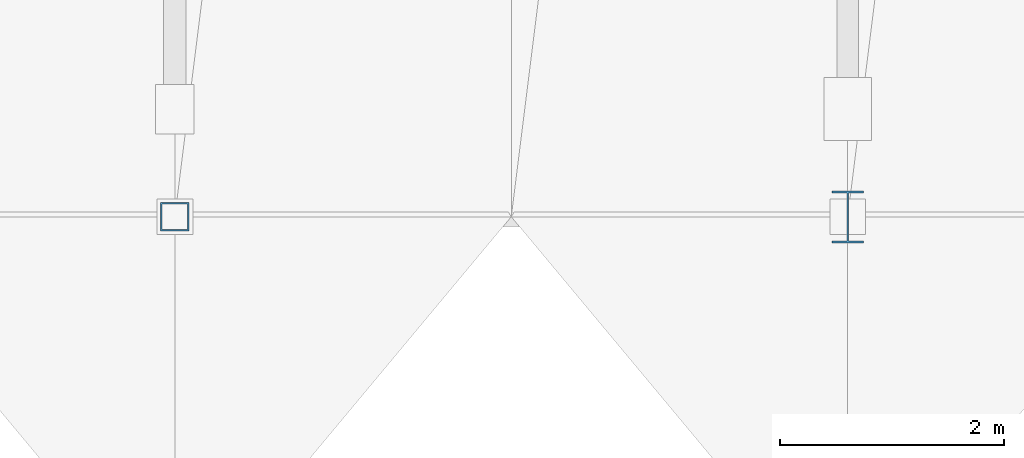
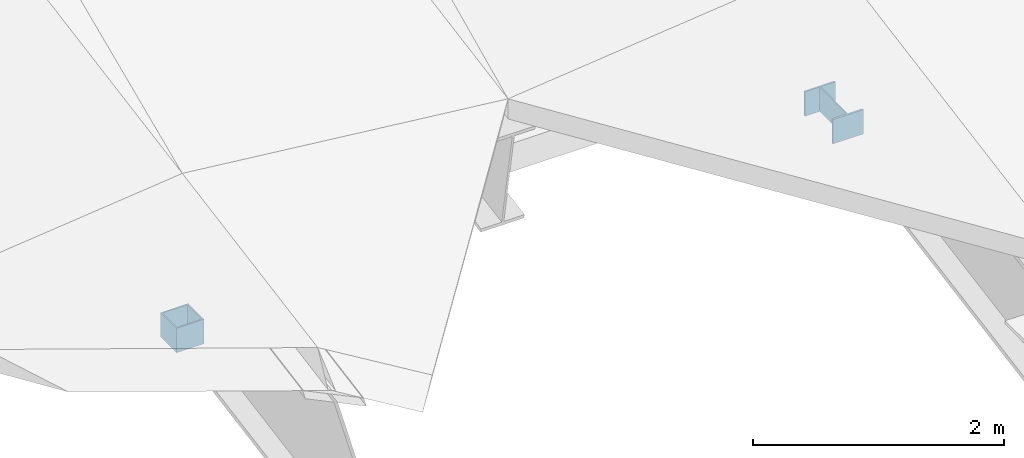
# One storey, part 12 of 52: 2 members.
"""IFC4 building model written with IfcOpenShell, lengths in metres."""

from ifc_helpers import new_model, si_unit, direction, frame, origin, origin_2d, place, context, subcontext, project, spatial, hollow_rectangle, i_section, extrude, material, material_profile, profile_set, type_object, element, save


model = new_model("IFC4")

# Units and contexts
model_context = context("Model", 3, precision=1e-05, world=origin(), true_north=direction((0.0, 1.0)))
body_context = subcontext(model_context, "Body", "Model", "MODEL_VIEW")
ifc_project = project(units=[si_unit("LENGTHUNIT", "METRE"), si_unit("AREAUNIT", "SQUARE_METRE"), si_unit("VOLUMEUNIT", "CUBIC_METRE"), si_unit("PLANEANGLEUNIT", "RADIAN"), si_unit("MASSUNIT", "GRAM", prefix="KILO")], contexts=[model_context])

# Site, building, storey
site_placement = place(None, origin())
site = spatial("IfcSite", under=ifc_project, at=site_placement, CompositionType="ELEMENT")
building_placement = place(site_placement, origin())
building = spatial("IfcBuilding", under=site, at=building_placement, Name="Vaelkrest Opera House", CompositionType="ELEMENT")
storey_placement = place(building_placement, frame((0.0, 0.0, 41.39990234375)))
storey = spatial("IfcBuildingStorey", under=building, at=storey_placement, Name="ROOF", CompositionType="ELEMENT", Elevation=41.39990234375)

# Members
ifc_material_1 = material(Name="Steel A992 Gr50", Category="steel")
ifc_material_profile_1 = material_profile(ifc_material_1, i_section(OverallWidth=0.280029296875, OverallDepth=0.462890625, WebThickness=0.0107421875, FlangeThickness=0.017333984375, at=origin_2d()), Name="W18X76")
ifc_profile_set_1 = profile_set([ifc_material_profile_1], Name="Steel A992 Gr50")
member_type_1 = type_object("IfcMemberType", Name="TC01", PredefinedType="CHORD", material=ifc_profile_set_1)
member_1_placement = place(storey_placement, frame((27.0, -55.800048828125, -17.501953125), z_axis=(0.0, 0.0, 1.0), x_axis=(1.0, 0.0, 0.0)))
element("IfcMember", 1, at=member_1_placement, inside=storey, type_object=member_type_1, Name="Ridge saddle post V1-S-19", PredefinedType="CHORD", context=body_context, shape_type="SweptSolid", body=[
    extrude(i_section(OverallWidth=0.280029296875, OverallDepth=0.462890625, WebThickness=0.0107421875, FlangeThickness=0.017333984375, at=origin_2d()), origin(), (0.0, 0.0, 1.0), 0.238037109375),
])
ifc_material_2 = material(Name="Steel A500 GrC", Category="steel")
ifc_material_profile_2 = material_profile(ifc_material_2, hollow_rectangle(XDim=0.25390625, YDim=0.25390625, WallThickness=0.0126953125, at=origin_2d()), Name="HSS254X254X12.7")
ifc_profile_set_2 = profile_set([ifc_material_profile_2], Name="Steel A500 GrC")
member_type_2 = type_object("IfcMemberType", Name="TC04", PredefinedType="CHORD", material=ifc_profile_set_2)
member_2_placement = place(storey_placement, frame((21.0, -55.800048828125, -17.501953125), z_axis=(0.0, 0.0, 1.0), x_axis=(1.0, 0.0, 0.0)))
element("IfcMember", 2, at=member_2_placement, inside=storey, type_object=member_type_2, Name="Ridge saddle post V1-S-17", PredefinedType="CHORD", context=body_context, shape_type="SweptSolid", body=[
    extrude(hollow_rectangle(XDim=0.25390625, YDim=0.25390625, WallThickness=0.0126953125, at=origin_2d()), origin(), (0.0, 0.0, 1.0), 0.238037109375),
])

save(model, "model.ifc")
